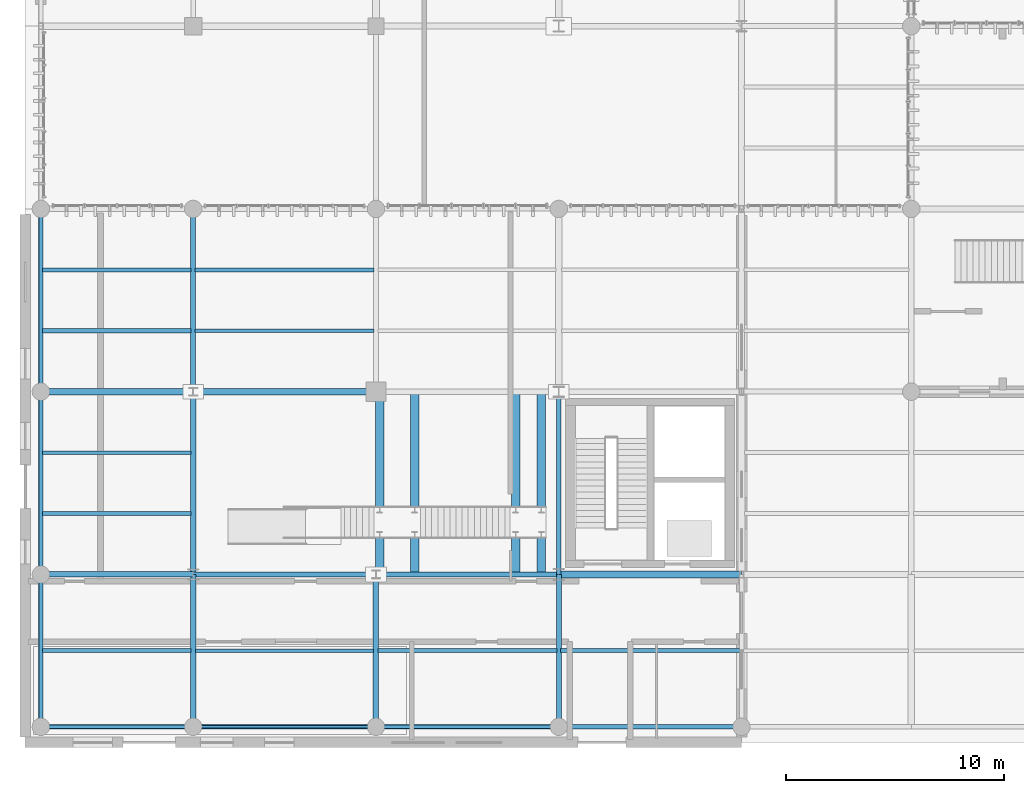
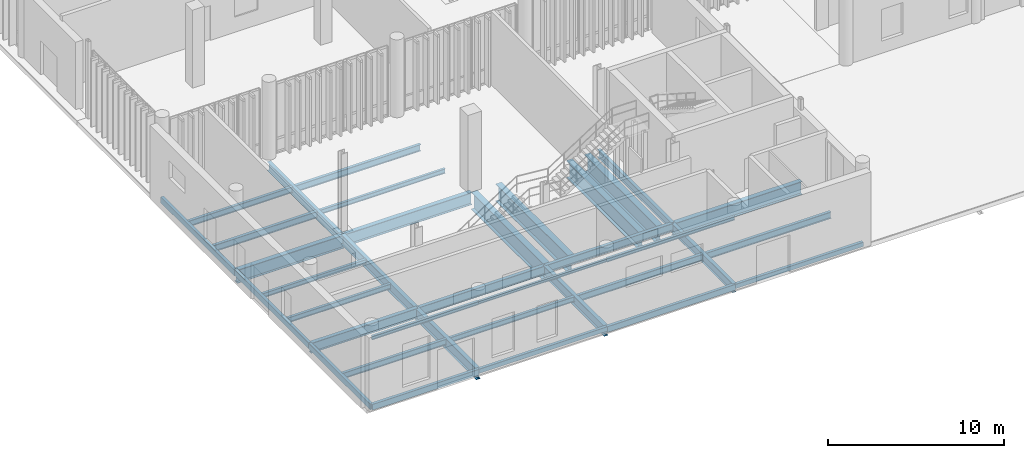
# One storey, part 14 of 112: 36 beams.
"""IFC4 building model written with IfcOpenShell, lengths in metres."""

from ifc_helpers import new_model, si_unit, direction, frame, origin_with_axes, origin_2d_with_axis, place, context, subcontext, project, spatial, hollow_rectangle, i_section, extrude, material, material_profile, profile_set, type_object, element, save


model = new_model("IFC4")

# Units and contexts
model_context = context("Model", 3, precision=1e-05, world=origin_with_axes(), true_north=direction((0.0, 1.0)))
body_context = subcontext(model_context, "Body", "Model", "MODEL_VIEW")
ifc_project = project(units=[si_unit("LENGTHUNIT", "METRE"), si_unit("AREAUNIT", "SQUARE_METRE"), si_unit("VOLUMEUNIT", "CUBIC_METRE"), si_unit("PLANEANGLEUNIT", "RADIAN"), si_unit("MASSUNIT", "GRAM", prefix="KILO"), si_unit("THERMODYNAMICTEMPERATUREUNIT", "KELVIN")], contexts=[model_context])

# Site, building, storey
site_placement = place(None, origin_with_axes())
site = spatial("IfcSite", under=ifc_project, at=site_placement, CompositionType="ELEMENT")
building_placement = place(site_placement, origin_with_axes())
building = spatial("IfcBuilding", under=site, at=building_placement, Name="Montbau Bow Law Courts", CompositionType="ELEMENT")
storey_placement = place(building_placement, origin_with_axes())
storey = spatial("IfcBuildingStorey", under=building, at=storey_placement, Name="L00", CompositionType="ELEMENT", Elevation=0.0)

# Beams
ifc_material_1 = material(Name="Steel CSA G40.21 Grade 350W (350 MPa)", Category="steel")
ifc_material_profile_1 = material_profile(ifc_material_1, i_section(OverallWidth=0.306, OverallDepth=0.919, WebThickness=0.0173, FlangeThickness=0.0279, at=origin_2d_with_axis()), Name="W920X253", Category="Main", Priority=0)
ifc_profile_set_1 = profile_set([ifc_material_profile_1], Name="Steel CSA G40.21 Grade 350W (350 MPa)")
beam_type_1 = type_object("IfcBeamType", Name="B-FLR-01", PredefinedType="BEAM", material=ifc_profile_set_1)
beam_1_placement = place(None, frame((30.6, 13.8, -0.75), z_axis=(1.0, 0.0, 0.0), x_axis=(0.0, 1.0, 0.0)))
element("IfcBeam", 1, at=beam_1_placement, inside=storey, type_object=beam_type_1, Name="BM-L00-S0144:bm2_0147", PredefinedType="BEAM", context=body_context, shape_type="SweptSolid", body=[
    extrude(i_section(OverallWidth=0.306, OverallDepth=0.919, WebThickness=0.0173, FlangeThickness=0.0279, at=origin_2d_with_axis()), origin_with_axes(), (0.0, 0.0, 1.0), 8.4),
])
beam_2_placement = place(None, frame((6.8, 22.2, -0.74), z_axis=(1.0, 0.0, 0.0), x_axis=(0.0, 1.0, 0.0)))
element("IfcBeam", 2, at=beam_2_placement, inside=storey, type_object=beam_type_1, Name="BM-L00-S0155:bm2_0158", PredefinedType="BEAM", context=body_context, shape_type="SweptSolid", body=[
    extrude(i_section(OverallWidth=0.306, OverallDepth=0.919, WebThickness=0.0173, FlangeThickness=0.0279, at=origin_2d_with_axis()), origin_with_axes(), (0.0, 0.0, 1.0), 7.0),
])
ifc_material_profile_2 = material_profile(ifc_material_1, i_section(OverallWidth=0.293, OverallDepth=0.846, WebThickness=0.0154, FlangeThickness=0.0244, at=origin_2d_with_axis()), Name="W840X210", Category="Main", Priority=0)
ifc_profile_set_2 = profile_set([ifc_material_profile_2], Name="Steel CSA G40.21 Grade 350W (350 MPa)")
beam_type_2 = type_object("IfcBeamType", Name="B-FLR-02", PredefinedType="BEAM", material=ifc_profile_set_2)
beam_3_placement = place(None, frame((13.8, 22.2, -0.703), z_axis=(1.0, 0.0, 0.0), x_axis=(0.0, 1.0, 0.0)))
element("IfcBeam", 3, at=beam_3_placement, inside=storey, type_object=beam_type_2, Name="BM-L00-S0156:bm2_0159", PredefinedType="BEAM", context=body_context, shape_type="SweptSolid", body=[
    extrude(i_section(OverallWidth=0.293, OverallDepth=0.846, WebThickness=0.0154, FlangeThickness=0.0244, at=origin_2d_with_axis()), origin_with_axes(), (0.0, 0.0, 1.0), 8.4),
])
ifc_material_profile_3 = material_profile(ifc_material_1, i_section(OverallWidth=0.267, OverallDepth=0.766, WebThickness=0.0149, FlangeThickness=0.0236, at=origin_2d_with_axis()), Name="W760X185", Category="Main", Priority=0)
ifc_profile_set_3 = profile_set([ifc_material_profile_3], Name="Steel CSA G40.21 Grade 350W (350 MPa)")
beam_type_3 = type_object("IfcBeamType", Name="B-FLR-03", PredefinedType="BEAM", material=ifc_profile_set_3)
beam_4_placement = place(None, frame((13.8, 6.8, -0.663), z_axis=(0.0, 1.0, 0.0), x_axis=(-1.0, 0.0, 0.0)))
element("IfcBeam", 4, at=beam_4_placement, inside=storey, type_object=beam_type_3, Name="BM-L00-S0242:bm2_0245", PredefinedType="BEAM", context=body_context, shape_type="SweptSolid", body=[
    extrude(i_section(OverallWidth=0.267, OverallDepth=0.766, WebThickness=0.0149, FlangeThickness=0.0236, at=origin_2d_with_axis()), origin_with_axes(), (0.0, 0.0, 1.0), 7.0),
])
ifc_material_profile_4 = material_profile(ifc_material_1, i_section(OverallWidth=0.254, OverallDepth=0.688, WebThickness=0.0131, FlangeThickness=0.0211, at=origin_2d_with_axis()), Name="W690X152", Category="Main", Priority=0)
ifc_profile_set_4 = profile_set([ifc_material_profile_4], Name="Steel CSA G40.21 Grade 350W (350 MPa)")
beam_type_4 = type_object("IfcBeamType", Name="B-FLR-04", PredefinedType="BEAM", material=ifc_profile_set_4)
beam_5_placement = place(None, frame((6.8, 13.8, -0.624), z_axis=(1.0, 0.0, 0.0), x_axis=(0.0, 1.0, 0.0)))
element("IfcBeam", 5, at=beam_5_placement, inside=storey, type_object=beam_type_4, Name="BM-L00-S0141:bm2_0144", PredefinedType="BEAM", context=body_context, shape_type="SweptSolid", body=[
    extrude(i_section(OverallWidth=0.254, OverallDepth=0.688, WebThickness=0.0131, FlangeThickness=0.0211, at=origin_2d_with_axis()), origin_with_axes(), (0.0, 0.0, 1.0), 7.0),
])
beam_6_placement = place(None, frame((13.8, 13.8, -0.624), z_axis=(0.0, 1.0, 0.0), x_axis=(-1.0, 0.0, 0.0)))
element("IfcBeam", 6, at=beam_6_placement, inside=storey, type_object=beam_type_4, Name="BM-L00-S0243:bm2_0246", PredefinedType="BEAM", context=body_context, shape_type="SweptSolid", body=[
    extrude(i_section(OverallWidth=0.254, OverallDepth=0.688, WebThickness=0.0131, FlangeThickness=0.0211, at=origin_2d_with_axis()), origin_with_axes(), (0.0, 0.0, 1.0), 8.4),
])
beam_7_placement = place(None, frame((22.2, 6.8, -0.624), z_axis=(0.0, 1.0, 0.0), x_axis=(-1.0, 0.0, 0.0)))
element("IfcBeam", 7, at=beam_7_placement, inside=storey, type_object=beam_type_4, Name="BM-L00-S0248:bm2_0251", PredefinedType="BEAM", context=body_context, shape_type="SweptSolid", body=[
    extrude(i_section(OverallWidth=0.254, OverallDepth=0.688, WebThickness=0.0131, FlangeThickness=0.0211, at=origin_2d_with_axis()), origin_with_axes(), (0.0, 0.0, 1.0), 7.0),
])
ifc_material_profile_5 = material_profile(ifc_material_1, i_section(OverallWidth=0.229, OverallDepth=0.612, WebThickness=0.0119, FlangeThickness=0.0196, at=origin_2d_with_axis()), Name="W610X125", Category="Main", Priority=0)
ifc_profile_set_5 = profile_set([ifc_material_profile_5], Name="Steel CSA G40.21 Grade 350W (350 MPa)")
beam_type_5 = type_object("IfcBeamType", Name="B-FLR-05", PredefinedType="BEAM", material=ifc_profile_set_5)
for number, where, z_axis, x_axis, name in (
    (8, (13.8, 13.8, -0.586), (1.0, 0.0, 0.0), (0.0, 1.0, 0.0), "BM-L00-S0142:bm2_0145"),
    (9, (13.8, 22.2, -0.646), (0.0, 1.0, 0.0), (-1.0, 0.0, 0.0), "BM-L00-S0244:bm2_0247"),
):
    element("IfcBeam", number, at=place(None, frame(where, z_axis=z_axis, x_axis=x_axis)), inside=storey, type_object=beam_type_5, Name=name, PredefinedType="BEAM", context=body_context, shape_type="SweptSolid", body=[
        extrude(i_section(OverallWidth=0.229, OverallDepth=0.612, WebThickness=0.0119, FlangeThickness=0.0196, at=origin_2d_with_axis()), origin_with_axes(), (0.0, 0.0, 1.0), 8.4),
    ])
beam_8_placement = place(None, frame((30.6, 6.8, -0.586), z_axis=(0.0, 1.0, 0.0), x_axis=(-1.0, 0.0, 0.0)))
element("IfcBeam", 10, at=beam_8_placement, inside=storey, type_object=beam_type_5, Name="BM-L00-S0254:bm2_0257", PredefinedType="BEAM", context=body_context, shape_type="SweptSolid", body=[
    extrude(i_section(OverallWidth=0.229, OverallDepth=0.612, WebThickness=0.0119, FlangeThickness=0.0196, at=origin_2d_with_axis()), origin_with_axes(), (0.0, 0.0, 1.0), 7.0),
])
ifc_material_profile_6 = material_profile(ifc_material_1, i_section(OverallWidth=0.21, OverallDepth=0.537, WebThickness=0.0109, FlangeThickness=0.0174, at=origin_2d_with_axis()), Name="W530X101", Category="Main", Priority=0)
ifc_profile_set_6 = profile_set([ifc_material_profile_6], Name="Steel CSA G40.21 Grade 350W (350 MPa)")
beam_type_6 = type_object("IfcBeamType", Name="B-FLR-06", PredefinedType="BEAM", material=ifc_profile_set_6)
for number, where, z_axis, x_axis, name in (
    (11, (22.2, 13.8, -0.548), (1.0, 0.0, 0.0), (0.0, 1.0, 0.0), "BM-L00-S0143:bm2_0146"),
    (12, (30.6, 13.8, -0.548), (0.0, 1.0, 0.0), (-1.0, 0.0, 0.0), "BM-L00-S0255:bm2_0258"),
):
    element("IfcBeam", number, at=place(None, frame(where, z_axis=z_axis, x_axis=x_axis)), inside=storey, type_object=beam_type_6, Name=name, PredefinedType="BEAM", context=body_context, shape_type="SweptSolid", body=[
        extrude(i_section(OverallWidth=0.21, OverallDepth=0.537, WebThickness=0.0109, FlangeThickness=0.0174, at=origin_2d_with_axis()), origin_with_axes(), (0.0, 0.0, 1.0), 8.4),
    ])
ifc_material_profile_7 = material_profile(ifc_material_1, i_section(OverallWidth=0.191, OverallDepth=0.46, WebThickness=0.0099, FlangeThickness=0.016, at=origin_2d_with_axis()), Name="W460X82", Category="Main", Priority=0)
ifc_profile_set_7 = profile_set([ifc_material_profile_7], Name="Steel CSA G40.21 Grade 350W (350 MPa)")
beam_type_7 = type_object("IfcBeamType", Name="B-JST-01", PredefinedType="JOIST", material=ifc_profile_set_7)
beam_9_placement = place(None, frame((6.88, 25.0, -0.57), z_axis=(1.0, 0.0, 0.0), x_axis=(0.0, 1.0, 0.0)))
element("IfcBeam", 13, at=beam_9_placement, inside=storey, type_object=beam_type_7, Name="JST-L00-S0004:jst2_0004", PredefinedType="JOIST", context=body_context, shape_type="SweptSolid", body=[
    extrude(i_section(OverallWidth=0.191, OverallDepth=0.46, WebThickness=0.0099, FlangeThickness=0.016, at=origin_2d_with_axis()), origin_with_axes(), (0.0, 0.0, 1.0), 6.83),
])
beam_10_placement = place(None, frame((13.891, 27.8, -0.57), z_axis=(1.0, 0.0, 0.0), x_axis=(0.0, 1.0, 0.0)))
element("IfcBeam", 14, at=beam_10_placement, inside=storey, type_object=beam_type_7, Name="JST-L00-S0012:jst2_0012", PredefinedType="JOIST", context=body_context, shape_type="SweptSolid", body=[
    extrude(i_section(OverallWidth=0.191, OverallDepth=0.46, WebThickness=0.0099, FlangeThickness=0.016, at=origin_2d_with_axis()), origin_with_axes(), (0.0, 0.0, 1.0), 8.219),
])
beam_11_placement = place(None, frame((22.303, 10.3, -0.51), z_axis=(1.0, 0.0, 0.0), x_axis=(0.0, 1.0, 0.0)))
element("IfcBeam", 15, at=beam_11_placement, inside=storey, type_object=beam_type_7, Name="JST-L00-S0016:jst2_0016", PredefinedType="JOIST", context=body_context, shape_type="SweptSolid", body=[
    extrude(i_section(OverallWidth=0.191, OverallDepth=0.46, WebThickness=0.0099, FlangeThickness=0.016, at=origin_2d_with_axis()), origin_with_axes(), (0.0, 0.0, 1.0), 8.207),
])
beam_12_placement = place(None, frame((30.691, 10.3, -0.52), z_axis=(1.0, 0.0, 0.0), x_axis=(0.0, 1.0, 0.0)))
element("IfcBeam", 16, at=beam_12_placement, inside=storey, type_object=beam_type_7, Name="JST-L00-S0024:jst2_0024", PredefinedType="JOIST", context=body_context, shape_type="SweptSolid", body=[
    extrude(i_section(OverallWidth=0.191, OverallDepth=0.46, WebThickness=0.0099, FlangeThickness=0.016, at=origin_2d_with_axis()), origin_with_axes(), (0.0, 0.0, 1.0), 8.228),
])
ifc_material_profile_8 = material_profile(ifc_material_1, i_section(OverallWidth=0.179, OverallDepth=0.41, WebThickness=0.0088, FlangeThickness=0.0144, at=origin_2d_with_axis()), Name="W410X67", Category="Main", Priority=0)
ifc_profile_set_8 = profile_set([ifc_material_profile_8], Name="Steel CSA G40.21 Grade 350W (350 MPa)")
beam_type_8 = type_object("IfcBeamType", Name="B-JST-02", PredefinedType="JOIST", material=ifc_profile_set_8)
beam_13_placement = place(None, frame((6.88, 10.3, -0.485), z_axis=(1.0, 0.0, 0.0), x_axis=(0.0, 1.0, 0.0)))
element("IfcBeam", 17, at=beam_13_placement, inside=storey, type_object=beam_type_8, Name="JST-L00-S0001:jst2_0001", PredefinedType="JOIST", context=body_context, shape_type="SweptSolid", body=[
    extrude(i_section(OverallWidth=0.179, OverallDepth=0.41, WebThickness=0.0088, FlangeThickness=0.0144, at=origin_2d_with_axis()), origin_with_axes(), (0.0, 0.0, 1.0), 6.811),
])
beam_14_placement = place(None, frame((6.88, 27.8, -0.545), z_axis=(1.0, 0.0, 0.0), x_axis=(0.0, 1.0, 0.0)))
element("IfcBeam", 18, at=beam_14_placement, inside=storey, type_object=beam_type_8, Name="JST-L00-S0005:jst2_0005", PredefinedType="JOIST", context=body_context, shape_type="SweptSolid", body=[
    extrude(i_section(OverallWidth=0.179, OverallDepth=0.41, WebThickness=0.0088, FlangeThickness=0.0144, at=origin_2d_with_axis()), origin_with_axes(), (0.0, 0.0, 1.0), 6.83),
])
ifc_material_profile_9 = material_profile(ifc_material_1, i_section(OverallWidth=0.172, OverallDepth=0.358, WebThickness=0.0079, FlangeThickness=0.0131, at=origin_2d_with_axis()), Name="W360X57", Category="Main", Priority=0)
ifc_profile_set_9 = profile_set([ifc_material_profile_9], Name="Steel CSA G40.21 Grade 350W (350 MPa)")
beam_type_9 = type_object("IfcBeamType", Name="B-JST-03", PredefinedType="JOIST", material=ifc_profile_set_9)
beam_15_placement = place(None, frame((6.88, 16.6, -0.459), z_axis=(1.0, 0.0, 0.0), x_axis=(0.0, 1.0, 0.0)))
element("IfcBeam", 19, at=beam_15_placement, inside=storey, type_object=beam_type_9, Name="JST-L00-S0002:jst2_0002", PredefinedType="JOIST", context=body_context, shape_type="SweptSolid", body=[
    extrude(i_section(OverallWidth=0.172, OverallDepth=0.358, WebThickness=0.0079, FlangeThickness=0.0131, at=origin_2d_with_axis()), origin_with_axes(), (0.0, 0.0, 1.0), 6.817),
])
beam_16_placement = place(None, frame((13.91, 10.3, -0.459), z_axis=(1.0, 0.0, 0.0), x_axis=(0.0, 1.0, 0.0)))
element("IfcBeam", 20, at=beam_16_placement, inside=storey, type_object=beam_type_9, Name="JST-L00-S0010:jst2_0010", PredefinedType="JOIST", context=body_context, shape_type="SweptSolid", body=[
    extrude(i_section(OverallWidth=0.172, OverallDepth=0.358, WebThickness=0.0079, FlangeThickness=0.0131, at=origin_2d_with_axis()), origin_with_axes(), (0.0, 0.0, 1.0), 8.187),
])
ifc_material_profile_10 = material_profile(ifc_material_1, i_section(OverallWidth=0.166, OverallDepth=0.313, WebThickness=0.0066, FlangeThickness=0.0112, at=origin_2d_with_axis()), Name="W310X45", Category="Main", Priority=0)
ifc_profile_set_10 = profile_set([ifc_material_profile_10], Name="Steel CSA G40.21 Grade 350W (350 MPa)")
beam_type_10 = type_object("IfcBeamType", Name="B-JST-04", PredefinedType="JOIST", material=ifc_profile_set_10)
beam_17_placement = place(None, frame((6.88, 19.4, -0.436), z_axis=(1.0, 0.0, 0.0), x_axis=(0.0, 1.0, 0.0)))
element("IfcBeam", 21, at=beam_17_placement, inside=storey, type_object=beam_type_10, Name="JST-L00-S0003:jst2_0003", PredefinedType="JOIST", context=body_context, shape_type="SweptSolid", body=[
    extrude(i_section(OverallWidth=0.166, OverallDepth=0.313, WebThickness=0.0066, FlangeThickness=0.0112, at=origin_2d_with_axis()), origin_with_axes(), (0.0, 0.0, 1.0), 6.817),
])
beam_18_placement = place(None, frame((13.891, 25.0, -0.497), z_axis=(1.0, 0.0, 0.0), x_axis=(0.0, 1.0, 0.0)))
element("IfcBeam", 22, at=beam_18_placement, inside=storey, type_object=beam_type_10, Name="JST-L00-S0011:jst2_0011", PredefinedType="JOIST", context=body_context, shape_type="SweptSolid", body=[
    extrude(i_section(OverallWidth=0.166, OverallDepth=0.313, WebThickness=0.0066, FlangeThickness=0.0112, at=origin_2d_with_axis()), origin_with_axes(), (0.0, 0.0, 1.0), 8.219),
])
ifc_material_profile_11 = material_profile(ifc_material_1, i_section(OverallWidth=0.147, OverallDepth=0.262, WebThickness=0.0066, FlangeThickness=0.0112, at=origin_2d_with_axis()), Name="W250X39", Category="Main", Priority=0)
ifc_profile_set_11 = profile_set([ifc_material_profile_11], Name="Steel CSA G40.21 Grade 350W (350 MPa)")
beam_type_11 = type_object("IfcBeamType", Name="B-LNT-01", PredefinedType="LINTEL", material=ifc_profile_set_11)
beam_19_placement = place(None, frame((6.8, 6.8, 4.3), z_axis=(1.0, 0.0, 0.0), x_axis=(0.0, 1.0, 0.0)))
element("IfcBeam", 23, at=beam_19_placement, inside=storey, type_object=beam_type_11, Name="LNT-L00-01:lnt_0001", PredefinedType="LINTEL", context=body_context, shape_type="SweptSolid", body=[
    extrude(i_section(OverallWidth=0.147, OverallDepth=0.262, WebThickness=0.0066, FlangeThickness=0.0112, at=origin_2d_with_axis()), origin_with_axes(), (0.0, 0.0, 1.0), 7.0),
])
beam_20_placement = place(None, frame((22.2, 6.8, 4.3), z_axis=(1.0, 0.0, 0.0), x_axis=(0.0, 1.0, 0.0)))
element("IfcBeam", 24, at=beam_20_placement, inside=storey, type_object=beam_type_11, Name="LNT-L00-03:lnt_0003", PredefinedType="LINTEL", context=body_context, shape_type="SweptSolid", body=[
    extrude(i_section(OverallWidth=0.147, OverallDepth=0.262, WebThickness=0.0066, FlangeThickness=0.0112, at=origin_2d_with_axis()), origin_with_axes(), (0.0, 0.0, 1.0), 8.4),
])
ifc_material_profile_12 = material_profile(ifc_material_1, i_section(OverallWidth=0.134, OverallDepth=0.21, WebThickness=0.0064, FlangeThickness=0.0102, at=origin_2d_with_axis()), Name="W200X31", Category="Main", Priority=0)
ifc_profile_set_12 = profile_set([ifc_material_profile_12], Name="Steel CSA G40.21 Grade 350W (350 MPa)")
beam_type_12 = type_object("IfcBeamType", Name="B-LNT-02", PredefinedType="LINTEL", material=ifc_profile_set_12)
beam_21_placement = place(None, frame((13.8, 6.8, 4.3), z_axis=(1.0, 0.0, 0.0), x_axis=(0.0, 1.0, 0.0)))
element("IfcBeam", 25, at=beam_21_placement, inside=storey, type_object=beam_type_12, Name="LNT-L00-02:lnt_0002", PredefinedType="LINTEL", context=body_context, shape_type="SweptSolid", body=[
    extrude(i_section(OverallWidth=0.134, OverallDepth=0.21, WebThickness=0.0064, FlangeThickness=0.0102, at=origin_2d_with_axis()), origin_with_axes(), (0.0, 0.0, 1.0), 8.4),
])
ifc_material_2 = material(Name="Steel CSA G40.21 Grade 350WT (350 MPa)", Category="steel")
ifc_material_profile_13 = material_profile(ifc_material_2, hollow_rectangle(XDim=0.203, YDim=0.406, WallThickness=0.0127, InnerFilletRadius=0.0254, OuterFilletRadius=0.0127, at=origin_2d_with_axis()), Name="HSS406X203X13", Category="Main", Priority=0)
ifc_profile_set_13 = profile_set([ifc_material_profile_13], Name="Steel CSA G40.21 Grade 350WT (350 MPa)")
beam_type_13 = type_object("IfcBeamType", Name="B-SPN-01", PredefinedType="SPANDREL", material=ifc_profile_set_13)
beam_22_placement = place(None, frame((6.8, 6.8, -0.483), z_axis=(1.0, 0.0, 0.0), x_axis=(0.0, 1.0, 0.0)))
element("IfcBeam", 26, at=beam_22_placement, inside=storey, type_object=beam_type_13, Name="SPN-L00-S0127:bm2_0130", PredefinedType="SPANDREL", context=body_context, shape_type="SweptSolid", body=[
    extrude(hollow_rectangle(XDim=0.203, YDim=0.406, WallThickness=0.0127, InnerFilletRadius=0.0254, OuterFilletRadius=0.0127, at=origin_2d_with_axis()), origin_with_axes(), (0.0, 0.0, 1.0), 7.0),
])
beam_23_placement = place(None, frame((22.2, 6.8, -0.483), z_axis=(1.0, 0.0, 0.0), x_axis=(0.0, 1.0, 0.0)))
element("IfcBeam", 27, at=beam_23_placement, inside=storey, type_object=beam_type_13, Name="SPN-L00-S0129:bm2_0132", PredefinedType="SPANDREL", context=body_context, shape_type="SweptSolid", body=[
    extrude(hollow_rectangle(XDim=0.203, YDim=0.406, WallThickness=0.0127, InnerFilletRadius=0.0254, OuterFilletRadius=0.0127, at=origin_2d_with_axis()), origin_with_axes(), (0.0, 0.0, 1.0), 8.4),
])
beam_24_placement = place(None, frame((6.8, 6.8, -0.483), z_axis=(0.0, 1.0, 0.0), x_axis=(-1.0, 0.0, 0.0)))
element("IfcBeam", 28, at=beam_24_placement, inside=storey, type_object=beam_type_13, Name="SPN-L00-S0236:bm2_0239", PredefinedType="SPANDREL", context=body_context, shape_type="SweptSolid", body=[
    extrude(hollow_rectangle(XDim=0.203, YDim=0.406, WallThickness=0.0127, InnerFilletRadius=0.0254, OuterFilletRadius=0.0127, at=origin_2d_with_axis()), origin_with_axes(), (0.0, 0.0, 1.0), 7.0),
])
for number, where, z_axis, x_axis, name in (
    (29, (6.8, 13.8, -0.483), (0.0, 1.0, 0.0), (-1.0, 0.0, 0.0), "SPN-L00-S0237:bm2_0240"),
    (30, (6.8, 22.2, -0.543), (0.0, 1.0, 0.0), (-1.0, 0.0, 0.0), "SPN-L00-S0238:bm2_0241"),
):
    element("IfcBeam", number, at=place(None, frame(where, z_axis=z_axis, x_axis=x_axis)), inside=storey, type_object=beam_type_13, Name=name, PredefinedType="SPANDREL", context=body_context, shape_type="SweptSolid", body=[
        extrude(hollow_rectangle(XDim=0.203, YDim=0.406, WallThickness=0.0127, InnerFilletRadius=0.0254, OuterFilletRadius=0.0127, at=origin_2d_with_axis()), origin_with_axes(), (0.0, 0.0, 1.0), 8.4),
    ])
ifc_material_profile_14 = material_profile(ifc_material_2, hollow_rectangle(XDim=0.203, YDim=0.305, WallThickness=0.0127, InnerFilletRadius=0.0254, OuterFilletRadius=0.0127, at=origin_2d_with_axis()), Name="HSS305X203X13", Category="Main", Priority=0)
ifc_profile_set_14 = profile_set([ifc_material_profile_14], Name="Steel CSA G40.21 Grade 350WT (350 MPa)")
beam_type_14 = type_object("IfcBeamType", Name="B-SPN-02", PredefinedType="SPANDREL", material=ifc_profile_set_14)
for number, where, z_axis, x_axis, name in (
    (31, (13.8, 6.8, -0.432), (1.0, 0.0, 0.0), (0.0, 1.0, 0.0), "SPN-L00-S0128:bm2_0131"),
    (32, (30.6, 6.8, -0.443), (1.0, 0.0, 0.0), (0.0, 1.0, 0.0), "SPN-L00-S0130:bm2_0133"),
):
    element("IfcBeam", number, at=place(None, frame(where, z_axis=z_axis, x_axis=x_axis)), inside=storey, type_object=beam_type_14, Name=name, PredefinedType="SPANDREL", context=body_context, shape_type="SweptSolid", body=[
        extrude(hollow_rectangle(XDim=0.203, YDim=0.305, WallThickness=0.0127, InnerFilletRadius=0.0254, OuterFilletRadius=0.0127, at=origin_2d_with_axis()), origin_with_axes(), (0.0, 0.0, 1.0), 8.4),
    ])
ifc_material_profile_15 = material_profile(ifc_material_1, i_section(OverallWidth=0.4, OverallDepth=1.2, WebThickness=0.016, FlangeThickness=0.035, at=origin_2d_with_axis()), Name="WWF1200X302", Category="Main", Priority=0)
ifc_profile_set_15 = profile_set([ifc_material_profile_15], Name="Steel CSA G40.21 Grade 350W (350 MPa)")
beam_type_15 = type_object("IfcBeamType", Name="B-TRG-05", PredefinedType="USERDEFINED", material=ifc_profile_set_15)
for number, where, z_axis, x_axis, name in (
    (33, (22.37, 13.875, -0.88), (0.0, 1.0, 0.0), (-1.0, 0.0, 0.0), "TRG-L00-S1802:bm2_1805"),
    (34, (23.98, 13.875, -0.88), (0.0, 1.0, 0.0), (-1.0, 0.0, 0.0), "TRG-L00-S1803:bm2_1806"),
    (35, (28.62, 13.875, -0.88), (0.0, 1.0, 0.0), (-1.0, 0.0, 0.0), "TRG-L00-S1804:bm2_1807"),
    (36, (29.8, 13.875, -0.88), (0.0, 1.0, 0.0), (-1.0, 0.0, 0.0), "TRG-L00-S1805:bm2_1808"),
):
    element("IfcBeam", number, at=place(None, frame(where, z_axis=z_axis, x_axis=x_axis)), inside=storey, type_object=beam_type_15, Name=name, ObjectType="GIRDER", PredefinedType="USERDEFINED", context=body_context, shape_type="SweptSolid", body=[
        extrude(i_section(OverallWidth=0.4, OverallDepth=1.2, WebThickness=0.016, FlangeThickness=0.035, at=origin_2d_with_axis()), origin_with_axes(), (0.0, 0.0, 1.0), 8.25),
    ])

save(model, "model.ifc")
